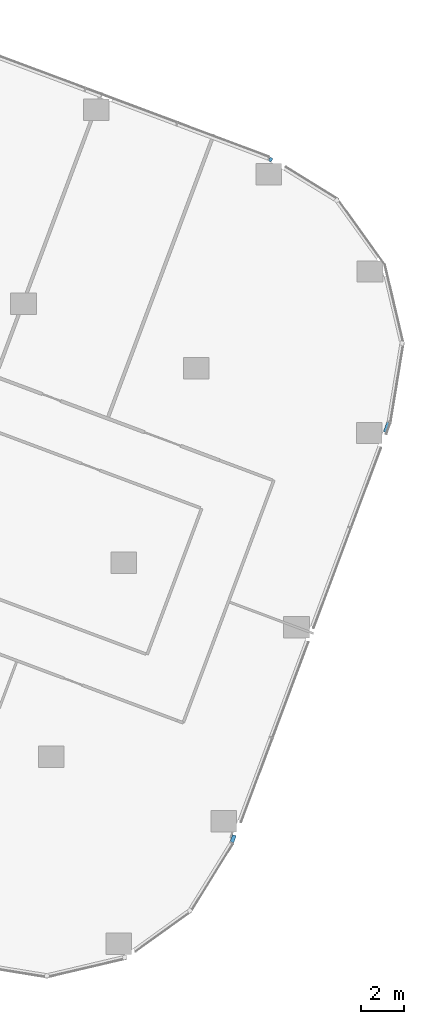
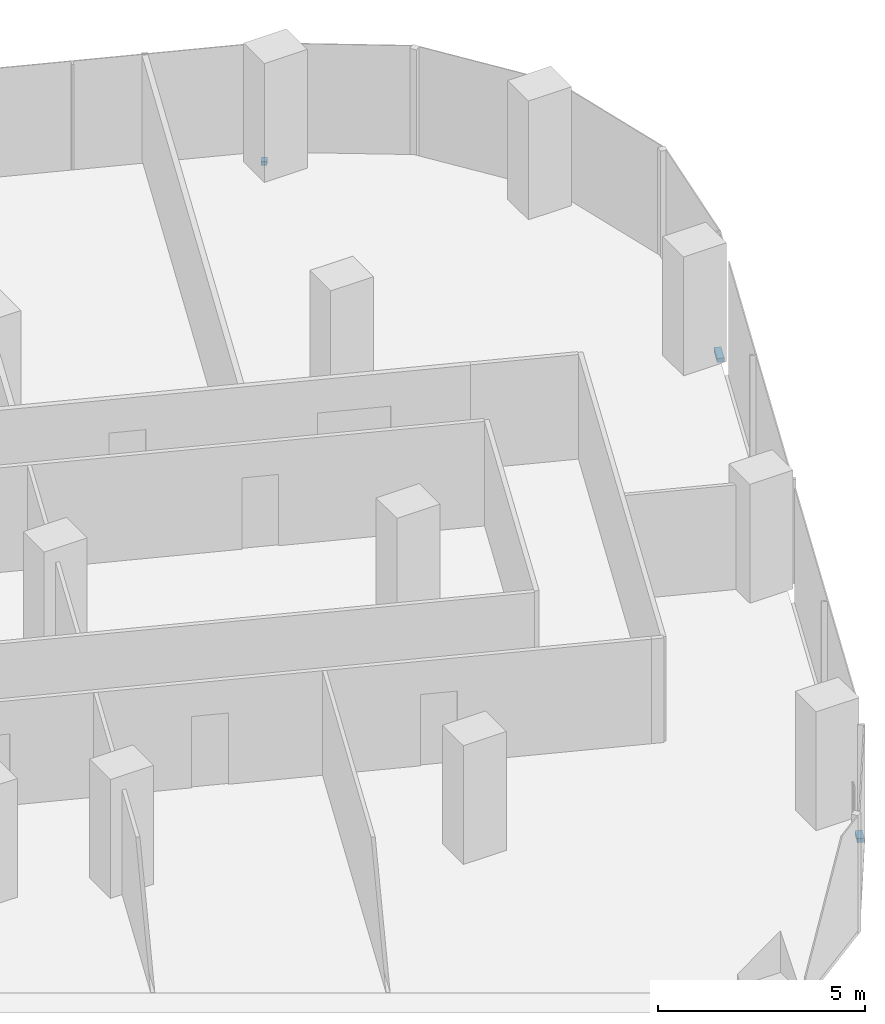
# One storey, part 15 of 31: 3 members, 2 elements without a shape of their own.
"""IFC4 building model written with IfcOpenShell, lengths in metres."""

from ifc_helpers import new_model, si_unit, direction, frame, origin, origin_2d, place, context, subcontext, project, spatial, rectangle, extrude, material, material_profile, profile_set, type_object, element, aggregate, save


model = new_model("IFC4")

# Units and contexts
model_context = context("Model", 3, precision=1e-05, world=origin(), true_north=direction((0.0, 1.0)))
body_context = subcontext(model_context, "Body", "Model", "MODEL_VIEW")
ifc_project = project(units=[si_unit("LENGTHUNIT", "METRE"), si_unit("AREAUNIT", "SQUARE_METRE"), si_unit("VOLUMEUNIT", "CUBIC_METRE"), si_unit("PLANEANGLEUNIT", "RADIAN"), si_unit("MASSUNIT", "GRAM", prefix="KILO")], contexts=[model_context])

# Site, building, storey
site_placement = place(None, origin())
site = spatial("IfcSite", under=ifc_project, at=site_placement, CompositionType="ELEMENT")
building_placement = place(site_placement, origin())
building = spatial("IfcBuilding", under=site, at=building_placement, Name="Orlundy Tower", CompositionType="ELEMENT")
storey_placement = place(building_placement, frame((0.0, 0.0, 87.699951171875)))
storey = spatial("IfcBuildingStorey", under=building, at=storey_placement, Name="L21", CompositionType="ELEMENT", Elevation=87.699951171875)

# Curtain wall, member
ifc_material_1 = material(Name="Aluminium bronze anodised", Category="aluminium")
curtain_wall_type = type_object("IfcCurtainWallType", Name="CW1 wall", PredefinedType="NOTDEFINED", material=ifc_material_1)
curtain_wall_1_placement = place(storey_placement, origin())
curtain_wall_1 = element("IfcCurtainWall", 1, at=curtain_wall_1_placement, inside=storey, type_object=curtain_wall_type, Name="CW1 run 07", PredefinedType="NOTDEFINED")
ifc_material_2 = material(Name="Aluminium bronze anodised", Category="aluminium")
ifc_material_profile = material_profile(ifc_material_2, rectangle(XDim=0.179931640625, YDim=0.1201171875, at=origin_2d()), Name="CW1 transom 180x120")
ifc_profile_set = profile_set([ifc_material_profile], Name="Aluminium bronze anodised")
member_type = type_object("IfcMemberType", Name="CW1 transom 180x120", PredefinedType="USERDEFINED", material=ifc_profile_set)
member_1_placement = place(storey_placement, frame((53.899169921875, 1.291015625, -0.33984375), z_axis=(0.850797997359, -0.525492880722, 0.0), x_axis=(0.525492880722, 0.850797997359, 0.0)))
member_1 = element("IfcMember", 2, at=member_1_placement, type_object=member_type, Name="CW1 transom", ObjectType="TRANSOM", PredefinedType="USERDEFINED", context=body_context, shape_type="SweptSolid", body=[
    extrude(rectangle(XDim=0.179931640625, YDim=0.1201171875, at=origin_2d()), origin(), (0.0, 0.0, 1.0), 0.146240234375),
])
aggregate(curtain_wall_1, [member_1])

# Curtain wall, members
curtain_wall_2_placement = place(storey_placement, origin())
curtain_wall_2 = element("IfcCurtainWall", 3, at=curtain_wall_2_placement, inside=storey, type_object=curtain_wall_type, Name="CW1 run 011", PredefinedType="NOTDEFINED")
member_2_placement = place(storey_placement, frame((59.487548828125, -11.048828125, -0.33984375), z_axis=(-0.350299507683, -0.936637739426, 0.0), x_axis=(0.936637739426, -0.350299507683, 0.0)))
member_2 = element("IfcMember", 4, at=member_2_placement, type_object=member_type, Name="CW1 transom", ObjectType="TRANSOM", PredefinedType="USERDEFINED", context=body_context, shape_type="SweptSolid", body=[
    extrude(rectangle(XDim=0.179931640625, YDim=0.1201171875, at=origin_2d()), origin(), (0.0, 0.0, 1.0), 0.487060546875),
])
member_3_placement = place(storey_placement, frame((52.2666015625, -30.363037109375, -0.33984375), z_axis=(-0.350198501228, -0.936675509308, 0.0), x_axis=(0.936675509308, -0.350198501228, 0.0)))
member_3 = element("IfcMember", 5, at=member_3_placement, type_object=member_type, Name="CW1 transom", ObjectType="TRANSOM", PredefinedType="USERDEFINED", context=body_context, shape_type="SweptSolid", body=[
    extrude(rectangle(XDim=0.179931640625, YDim=0.1201171875, at=origin_2d()), origin(), (0.0, 0.0, 1.0), 0.34716796875),
])
aggregate(curtain_wall_2, [member_2, member_3])

save(model, "model.ifc")
